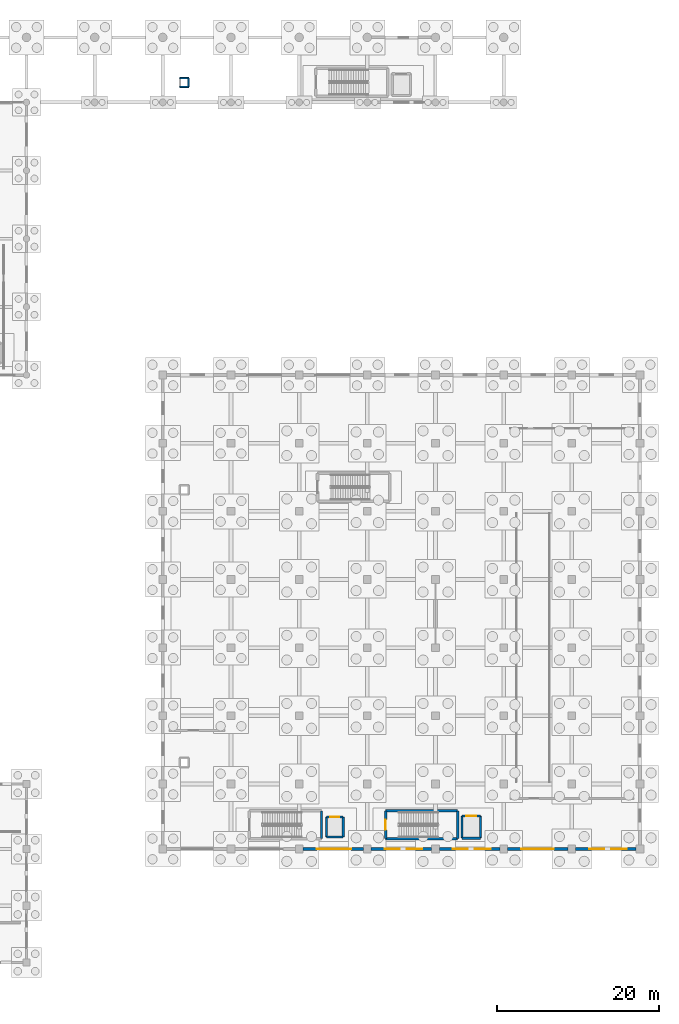
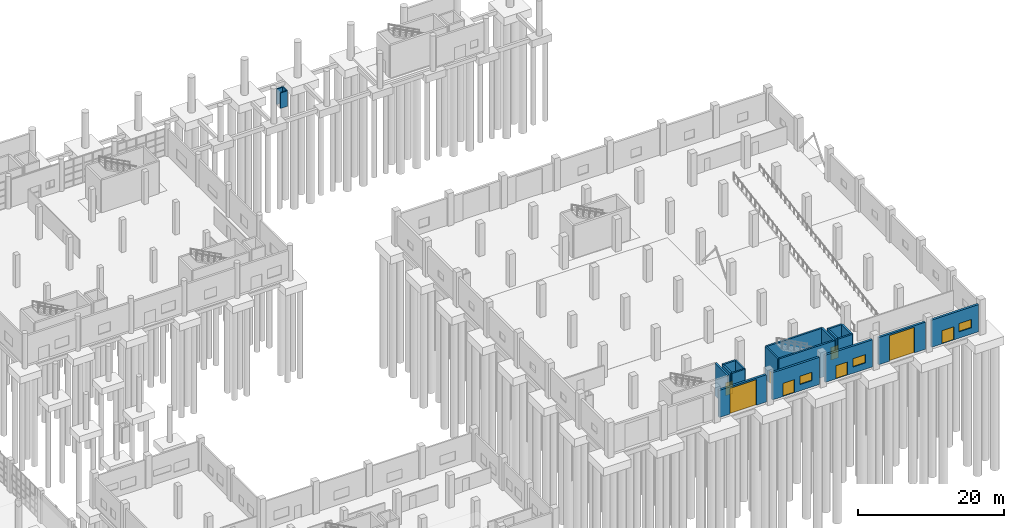
# One storey, part 58 of 83: 21 walls, 8 doors, 3 windows, 11 openings.
"""IFC4 building model written with IfcOpenShell, lengths in metres."""

from ifc_helpers import new_model, si_unit, direction, frame, frame_2d, origin, place, context, subcontext, project, spatial, rectangle, extrude, material, layer, layer_set, type_object, element, fill, save


model = new_model("IFC4")

# Units and contexts
model_context = context("Model", 3, precision=1e-05, world=origin(), true_north=direction((0.0, 1.0)))
body_context = subcontext(model_context, "Body", "Model", "MODEL_VIEW")
ifc_project = project(units=[si_unit("LENGTHUNIT", "METRE"), si_unit("AREAUNIT", "SQUARE_METRE"), si_unit("VOLUMEUNIT", "CUBIC_METRE"), si_unit("PLANEANGLEUNIT", "RADIAN"), si_unit("MASSUNIT", "GRAM", prefix="KILO"), si_unit("THERMODYNAMICTEMPERATUREUNIT", "KELVIN"), si_unit("POWERUNIT", "WATT")], contexts=[model_context])

# Site, building, storey
site_placement = place(None, origin())
site = spatial("IfcSite", under=ifc_project, at=site_placement, CompositionType="ELEMENT")
building_placement = place(site_placement, origin())
building = spatial("IfcBuilding", under=site, at=building_placement, Name="Mavoryth Pier Ferry Terminal", CompositionType="ELEMENT")
storey_placement = place(building_placement, origin())
storey = spatial("IfcBuildingStorey", under=building, at=storey_placement, Name="L00", CompositionType="ELEMENT", Elevation=0.0)

# Walls
ifc_material_1 = material(Name="Concrete C35/45", Category="concrete")
ifc_layer_1 = layer(ifc_material_1, 0.260009765625, Name="Concrete C35/45", Category="concrete")
ifc_layer_set_1 = layer_set([ifc_layer_1], Name="Concrete C35/45 - CoreWall-LiftShaft-RC260")
wall_type_1 = type_object("IfcWallType", Name="CoreWall-LiftShaft-RC260", PredefinedType="SHEAR", material=ifc_layer_set_1)
wall_1_placement = place(storey_placement, frame((129.3701171875, 15.469970703125, 0.0), z_axis=(0.0, 0.0, 1.0), x_axis=(1.0, 0.0, 0.0)))
element("IfcWall", 1, at=wall_1_placement, inside=storey, type_object=wall_type_1, Name="Interior Wall IW-L00-0145", PredefinedType="SHEAR", context=body_context, shape_type="SweptSolid", body=[
    extrude(rectangle(XDim=2.059814453125, YDim=0.260009765625, at=frame_2d((1.02978515625, 0.0))), origin(), (0.0, 0.0, 1.0), 5.43994140625),
])
for number, where, z_axis, x_axis, name in (
    (2, (131.429931640625, 15.469970703125, 0.0), (0.0, 0.0, 1.0), (0.0, 1.0, 0.0), "Interior Wall IW-L00-0146"),
    (3, (129.3701171875, 17.929931640625, 0.0), (0.0, 0.0, 1.0), (0.0, -1.0, 0.0), "Interior Wall IW-L00-0147"),
):
    element("IfcWall", number, at=place(storey_placement, frame(where, z_axis=z_axis, x_axis=x_axis)), inside=storey, type_object=wall_type_1, Name=name, PredefinedType="SHEAR", context=body_context, shape_type="SweptSolid", body=[
        extrude(rectangle(XDim=2.4599609375, YDim=0.260009765625, at=frame_2d((1.22998046875, 0.0))), origin(), (0.0, 0.0, 1.0), 5.43994140625),
    ])

# Wall, opening, door
wall_2_placement = place(storey_placement, frame((129.3701171875, 17.929931640625, 0.0), z_axis=(0.0, 0.0, 1.0), x_axis=(1.0, 0.0, 0.0)))
wall_2 = element("IfcWall", 4, at=wall_2_placement, inside=storey, type_object=wall_type_1, Name="Interior Wall IW-L00-0148", PredefinedType="SHEAR", context=body_context, shape_type="SweptSolid", body=[
    extrude(rectangle(XDim=2.059814453125, YDim=0.260009765625, at=frame_2d((1.02978515625, 0.0))), origin(), (0.0, 0.0, 1.0), 5.43994140625),
])
opening_1_placement = place(wall_2_placement, frame((0.4599609375, 0.0, 0.0)))
opening_1 = element("IfcOpeningElement", 5, at=opening_1_placement, cuts=wall_2, Name="Opening LD02", PredefinedType="OPENING", context=body_context, shape_type="SweptSolid", body=[
    extrude(rectangle(XDim=1.139892578125, YDim=2.139892578125, at=frame_2d((0.56982421875, 1.06982421875))), frame((0.0, 0.139892578125, 0.0), z_axis=(0.0, -1.0, 0.0), x_axis=(1.0, 0.0, 0.0)), (0.0, 0.0, 1.0), 0.280029296875),
])
ifc_material_2 = material(Name="Brushed Stainless Steel Lift Landing Door", Category="steel")
door_type_1 = type_object("IfcDoorType", Name="Door-LiftLanding-1140x2140", OperationType="NOTDEFINED", PredefinedType="DOOR", material=ifc_material_2)
door_1_placement = place(opening_1_placement, origin())
door_1 = element("IfcDoor", 6, at=door_1_placement, inside=storey, type_object=door_type_1, Name="Lift LF08 Landing Door L00", OperationType="DOUBLE_DOOR_SLIDING", OverallHeight=2.139892578125, OverallWidth=1.139892578125, PredefinedType="DOOR", context=body_context, shape_type="SweptSolid", body=[
    extrude(rectangle(XDim=1.139892578125, YDim=2.139892578125, at=frame_2d((0.56982421875, 1.06982421875))), frame((0.0, 0.02490234375, 0.0), z_axis=(0.0, -1.0, 0.0), x_axis=(1.0, 0.0, 0.0)), (0.0, 0.0, 1.0), 0.050048828125),
])
fill(opening_1, door_1)

# Walls
wall_3_placement = place(storey_placement, frame((146.070068359375, 15.320068359375, 0.0), z_axis=(0.0, 0.0, 1.0), x_axis=(1.0, 0.0, 0.0)))
element("IfcWall", 7, at=wall_3_placement, inside=storey, type_object=wall_type_1, Name="Interior Wall IW-L00-0173", PredefinedType="SHEAR", context=body_context, shape_type="SweptSolid", body=[
    extrude(rectangle(XDim=2.260009765625, YDim=0.260009765625, at=frame_2d((1.1298828125, 0.0))), origin(), (0.0, 0.0, 1.0), 5.43994140625),
])
for number, where, z_axis, x_axis, name in (
    (8, (148.330078125, 15.320068359375, 0.0), (0.0, 0.0, 1.0), (0.0, 1.0, 0.0), "Interior Wall IW-L00-0174"),
    (9, (146.070068359375, 18.080078125, 0.0), (0.0, 0.0, 1.0), (0.0, -1.0, 0.0), "Interior Wall IW-L00-0175"),
):
    element("IfcWall", number, at=place(storey_placement, frame(where, z_axis=z_axis, x_axis=x_axis)), inside=storey, type_object=wall_type_1, Name=name, PredefinedType="SHEAR", context=body_context, shape_type="SweptSolid", body=[
        extrude(rectangle(XDim=2.760009765625, YDim=0.260009765625, at=frame_2d((1.3798828125, 0.0))), origin(), (0.0, 0.0, 1.0), 5.43994140625),
    ])

# Wall, opening, door
wall_4_placement = place(storey_placement, frame((146.070068359375, 18.080078125, 0.0), z_axis=(0.0, 0.0, 1.0), x_axis=(1.0, 0.0, 0.0)))
wall_4 = element("IfcWall", 10, at=wall_4_placement, inside=storey, type_object=wall_type_1, Name="Interior Wall IW-L00-0176", PredefinedType="SHEAR", context=body_context, shape_type="SweptSolid", body=[
    extrude(rectangle(XDim=2.260009765625, YDim=0.260009765625, at=frame_2d((1.1298828125, 0.0))), origin(), (0.0, 0.0, 1.0), 5.43994140625),
])
opening_2_placement = place(wall_4_placement, frame((0.510009765625, 0.0, 0.0)))
opening_2 = element("IfcOpeningElement", 11, at=opening_2_placement, cuts=wall_4, Name="Opening LD01", PredefinedType="OPENING", context=body_context, shape_type="SweptSolid", body=[
    extrude(rectangle(XDim=1.239990234375, YDim=2.139892578125, at=frame_2d((0.6201171875, 1.06982421875))), frame((0.0, 0.139892578125, 0.0), z_axis=(0.0, -1.0, 0.0), x_axis=(1.0, 0.0, 0.0)), (0.0, 0.0, 1.0), 0.280029296875),
])
door_type_2 = type_object("IfcDoorType", Name="Door-LiftLanding-1240x2140", OperationType="NOTDEFINED", PredefinedType="DOOR", material=ifc_material_2)
door_2_placement = place(opening_2_placement, origin())
door_2 = element("IfcDoor", 12, at=door_2_placement, inside=storey, type_object=door_type_2, Name="Lift LF09 Landing Door L00", OperationType="DOUBLE_DOOR_SLIDING", OverallHeight=2.139892578125, OverallWidth=1.239990234375, PredefinedType="DOOR", context=body_context, shape_type="SweptSolid", body=[
    extrude(rectangle(XDim=1.239990234375, YDim=2.139892578125, at=frame_2d((0.6201171875, 1.06982421875))), frame((0.0, 0.02490234375, 0.0), z_axis=(0.0, -1.0, 0.0), x_axis=(1.0, 0.0, 0.0)), (0.0, 0.0, 1.0), 0.050048828125),
])
fill(opening_2, door_2)

# Walls
ifc_material_3 = material(Name="Concrete C40/50", Category="concrete")
ifc_layer_2 = layer(ifc_material_3, 0.280029296875, Name="Concrete C40/50", Category="concrete")
ifc_layer_set_2 = layer_set([ifc_layer_2], Name="Concrete C40/50 - CoreWall-Shear-RC280")
wall_type_2 = type_object("IfcWallType", Name="CoreWall-Shear-RC280", PredefinedType="SHEAR", material=ifc_layer_set_2)
wall_5_placement = place(storey_placement, frame((128.739990234375, 15.260009765625, 0.0), z_axis=(0.0, 0.0, 1.0), x_axis=(0.0, 1.0, 0.0)))
element("IfcWall", 13, at=wall_5_placement, inside=storey, type_object=wall_type_2, Name="Interior Wall IW-L00-0136", PredefinedType="SHEAR", context=body_context, shape_type="SweptSolid", body=[
    extrude(rectangle(XDim=3.429931640625, YDim=0.280029296875, at=frame_2d((1.71484375, 0.0))), origin(), (0.0, 0.0, 1.0), 5.43994140625),
])
for number, where, z_axis, x_axis, name in (
    (14, (136.659912109375, 15.260009765625, 0.0), (0.0, 0.0, 1.0), (1.0, 0.0, 0.0), "Interior Wall IW-L00-0157"),
    (15, (136.659912109375, 18.68994140625, 0.0), (0.0, 0.0, 1.0), (1.0, 0.0, 0.0), "Interior Wall IW-L00-0158"),
):
    element("IfcWall", number, at=place(storey_placement, frame(where, z_axis=z_axis, x_axis=x_axis)), inside=storey, type_object=wall_type_2, Name=name, PredefinedType="SHEAR", context=body_context, shape_type="SweptSolid", body=[
        extrude(rectangle(XDim=8.880126953125, YDim=0.280029296875, at=frame_2d((4.43994140625, 0.0))), origin(), (0.0, 0.0, 1.0), 5.43994140625),
    ])

# Wall, opening, door
wall_6_placement = place(storey_placement, frame((136.659912109375, 18.68994140625, 0.0), z_axis=(0.0, 0.0, 1.0), x_axis=(0.0, -1.0, 0.0)))
wall_6 = element("IfcWall", 16, at=wall_6_placement, inside=storey, type_object=wall_type_2, Name="Interior Wall IW-L00-0159", PredefinedType="SHEAR", context=body_context, shape_type="SweptSolid", body=[
    extrude(rectangle(XDim=3.429931640625, YDim=0.280029296875, at=frame_2d((1.71484375, 0.0))), origin(), (0.0, 0.0, 1.0), 5.43994140625),
])
opening_3_placement = place(wall_6_placement, frame((1.074951171875, 0.0, 0.0)))
opening_3 = element("IfcOpeningElement", 17, at=opening_3_placement, cuts=wall_6, Name="Opening ID03-040", PredefinedType="OPENING", context=body_context, shape_type="SweptSolid", body=[
    extrude(rectangle(XDim=1.280029296875, YDim=2.10009765625, at=frame_2d((0.64013671875, 1.050048828125))), frame((0.0, 0.14990234375, 0.0), z_axis=(0.0, -1.0, 0.0), x_axis=(1.0, 0.0, 0.0)), (0.0, 0.0, 1.0), 0.300048828125),
])
ifc_material_4 = material(Name="Painted Galvanised Steel Fire Door", Category="steel")
door_type_3 = type_object("IfcDoorType", Name="Door-StairFire-1280x2100", OperationType="NOTDEFINED", PredefinedType="DOOR", material=ifc_material_4)
door_3_placement = place(opening_3_placement, origin())
door_3 = element("IfcDoor", 18, at=door_3_placement, inside=storey, type_object=door_type_3, Name="Core C4B Stair Exit Door L00", OperationType="SINGLE_SWING_LEFT", OverallHeight=2.10009765625, OverallWidth=1.280029296875, PredefinedType="DOOR", context=body_context, shape_type="SweptSolid", body=[
    extrude(rectangle(XDim=1.280029296875, YDim=2.10009765625, at=frame_2d((0.64013671875, 1.050048828125))), frame((0.0, 0.02490234375, 0.0), z_axis=(0.0, -1.0, 0.0), x_axis=(1.0, 0.0, 0.0)), (0.0, 0.0, 1.0), 0.050048828125),
])
fill(opening_3, door_3)

# Wall
wall_7_placement = place(storey_placement, frame((145.5400390625, 15.260009765625, 0.0), z_axis=(0.0, 0.0, 1.0), x_axis=(0.0, 1.0, 0.0)))
element("IfcWall", 19, at=wall_7_placement, inside=storey, type_object=wall_type_2, Name="Interior Wall IW-L00-0160", PredefinedType="SHEAR", context=body_context, shape_type="SweptSolid", body=[
    extrude(rectangle(XDim=3.429931640625, YDim=0.280029296875, at=frame_2d((1.71484375, 0.0))), origin(), (0.0, 0.0, 1.0), 5.43994140625),
])

# Wall, opening, door
ifc_layer_3 = layer(ifc_material_1, 0.340087890625, Name="Concrete C35/45", Category="concrete")
ifc_layer_set_3 = layer_set([ifc_layer_3], Name="Concrete C35/45 - ExtWall-Plinth-RC340")
wall_type_3 = type_object("IfcWallType", Name="ExtWall-Plinth-RC340", PredefinedType="SOLIDWALL", material=ifc_layer_set_3)
wall_8_placement = place(storey_placement, frame((126.47509765625, 14.0, 0.0), z_axis=(0.0, 0.0, 1.0), x_axis=(1.0, 0.0, 0.0)))
wall_8 = element("IfcWall", 20, at=wall_8_placement, inside=storey, type_object=wall_type_3, Name="Exterior Wall EW-L00-040", PredefinedType="SOLIDWALL", context=body_context, shape_type="SweptSolid", body=[
    extrude(rectangle(XDim=7.449951171875, YDim=0.340087890625, at=frame_2d((3.72509765625, 0.0))), origin(), (0.0, 0.0, 1.0), 4.544921875),
])
opening_4_placement = place(wall_8_placement, frame((1.715087890625, 0.0, 0.0)))
opening_4 = element("IfcOpeningElement", 21, at=opening_4_placement, cuts=wall_8, Name="Opening VG-21", PredefinedType="OPENING", context=body_context, shape_type="SweptSolid", body=[
    extrude(rectangle(XDim=4.199951171875, YDim=4.300048828125, at=frame_2d((2.10009765625, 2.14990234375))), frame((0.0, 0.179931640625, 0.0), z_axis=(0.0, -1.0, 0.0), x_axis=(1.0, 0.0, 0.0)), (0.0, 0.0, 1.0), 0.360107421875),
])
ifc_material_5 = material(Name="Thermally Broken Anodised Aluminium and Laminated Glass", Category="aluminium")
door_type_4 = type_object("IfcDoorType", Name="Gate-VehicleShutter-4200x4300", OperationType="NOTDEFINED", PredefinedType="GATE", material=ifc_material_5)
door_4_placement = place(opening_4_placement, origin())
door_4 = element("IfcDoor", 22, at=door_4_placement, inside=storey, type_object=door_type_4, Name="Vehicle Security Shutter VG-21", OperationType="ROLLINGUP", OverallHeight=4.300048828125, OverallWidth=4.199951171875, PredefinedType="GATE", context=body_context, shape_type="SweptSolid", body=[
    extrude(rectangle(XDim=4.199951171875, YDim=4.300048828125, at=frame_2d((2.10009765625, 2.14990234375))), frame((0.0, 0.02490234375, 0.0), z_axis=(0.0, -1.0, 0.0), x_axis=(1.0, 0.0, 0.0)), (0.0, 0.0, 1.0), 0.050048828125),
])
fill(opening_4, door_4)

# Wall, openings, door, window
wall_9_placement = place(storey_placement, frame((134.875, 14.0, 0.0), z_axis=(0.0, 0.0, 1.0), x_axis=(1.0, 0.0, 0.0)))
wall_9 = element("IfcWall", 23, at=wall_9_placement, inside=storey, type_object=wall_type_3, Name="Exterior Wall EW-L00-042", PredefinedType="SOLIDWALL", context=body_context, shape_type="SweptSolid", body=[
    extrude(rectangle(XDim=7.449951171875, YDim=0.340087890625, at=frame_2d((3.72509765625, 0.0))), origin(), (0.0, 0.0, 1.0), 4.544921875),
])
opening_5_placement = place(wall_9_placement, frame((1.6650390625, 0.0, 0.0)))
opening_5 = element("IfcOpeningElement", 24, at=opening_5_placement, cuts=wall_9, Name="Opening ED04-023", PredefinedType="OPENING", context=body_context, shape_type="SweptSolid", body=[
    extrude(rectangle(XDim=1.85009765625, YDim=2.199951171875, at=frame_2d((0.925048828125, 1.10009765625))), frame((0.0, 0.179931640625, 0.0), z_axis=(0.0, -1.0, 0.0), x_axis=(1.0, 0.0, 0.0)), (0.0, 0.0, 1.0), 0.360107421875),
])
opening_6_placement = place(wall_9_placement, frame((4.364990234375, 0.0, 1.050048828125)))
opening_6 = element("IfcOpeningElement", 25, at=opening_6_placement, cuts=wall_9, Name="Opening WN17", PredefinedType="OPENING", context=body_context, shape_type="SweptSolid", body=[
    extrude(rectangle(XDim=1.949951171875, YDim=1.39990234375, at=frame_2d((0.97509765625, 0.699951171875))), frame((0.0, 0.179931640625, 0.0), z_axis=(0.0, -1.0, 0.0), x_axis=(1.0, 0.0, 0.0)), (0.0, 0.0, 1.0), 0.360107421875),
])
door_type_5 = type_object("IfcDoorType", Name="ExtDoor-ExitDouble-1850x2200", OperationType="NOTDEFINED", PredefinedType="DOOR", material=ifc_material_5)
door_5_placement = place(opening_5_placement, origin())
door_5 = element("IfcDoor", 26, at=door_5_placement, inside=storey, type_object=door_type_5, Name="Exterior Pedestrian Exit Door ED04-023", OperationType="DOUBLE_DOOR_SINGLE_SWING", OverallHeight=2.199951171875, OverallWidth=1.85009765625, PredefinedType="DOOR", context=body_context, shape_type="SweptSolid", body=[
    extrude(rectangle(XDim=1.85009765625, YDim=2.199951171875, at=frame_2d((0.925048828125, 1.10009765625))), frame((0.0, 0.02490234375, 0.0), z_axis=(0.0, -1.0, 0.0), x_axis=(1.0, 0.0, 0.0)), (0.0, 0.0, 1.0), 0.050048828125),
])
fill(opening_5, door_5)
ifc_material_6 = material(Name="Thermally Broken Aluminium and Low-E Double Glazing", Category="aluminium")
window_type = type_object("IfcWindowType", Name="Win-Drivers-1950x1400", PartitioningType="DOUBLE_PANEL_VERTICAL", PredefinedType="WINDOW", material=ifc_material_6)
window_1_placement = place(opening_6_placement, origin())
window_1 = element("IfcWindow", 27, at=window_1_placement, inside=storey, type_object=window_type, Name="Exterior Window 27", OverallHeight=1.39990234375, OverallWidth=1.949951171875, PartitioningType="DOUBLE_PANEL_VERTICAL", PredefinedType="WINDOW", context=body_context, shape_type="SweptSolid", body=[
    extrude(rectangle(XDim=1.949951171875, YDim=1.39990234375, at=frame_2d((0.97509765625, 0.699951171875))), frame((0.0, 0.030029296875, 0.0), z_axis=(0.0, -1.0, 0.0), x_axis=(1.0, 0.0, 0.0)), (0.0, 0.0, 1.0), 0.06005859375),
])
fill(opening_6, window_1)

wall_10_placement = place(storey_placement, frame((143.27490234375, 14.0, 0.0), z_axis=(0.0, 0.0, 1.0), x_axis=(1.0, 0.0, 0.0)))
wall_10 = element("IfcWall", 28, at=wall_10_placement, inside=storey, type_object=wall_type_3, Name="Exterior Wall EW-L00-044", PredefinedType="SOLIDWALL", context=body_context, shape_type="SweptSolid", body=[
    extrude(rectangle(XDim=7.4501953125, YDim=0.340087890625, at=frame_2d((3.72509765625, 0.0))), origin(), (0.0, 0.0, 1.0), 4.544921875),
])
opening_7_placement = place(wall_10_placement, frame((1.6650390625, 0.0, 0.0)))
opening_7 = element("IfcOpeningElement", 29, at=opening_7_placement, cuts=wall_10, Name="Opening ED04-024", PredefinedType="OPENING", context=body_context, shape_type="SweptSolid", body=[
    extrude(rectangle(XDim=1.85009765625, YDim=2.199951171875, at=frame_2d((0.925048828125, 1.10009765625))), frame((0.0, 0.179931640625, 0.0), z_axis=(0.0, -1.0, 0.0), x_axis=(1.0, 0.0, 0.0)), (0.0, 0.0, 1.0), 0.360107421875),
])
opening_8_placement = place(wall_10_placement, frame((4.364990234375, 0.0, 1.050048828125)))
opening_8 = element("IfcOpeningElement", 30, at=opening_8_placement, cuts=wall_10, Name="Opening WN17", PredefinedType="OPENING", context=body_context, shape_type="SweptSolid", body=[
    extrude(rectangle(XDim=1.949951171875, YDim=1.39990234375, at=frame_2d((0.97509765625, 0.699951171875))), frame((0.0, 0.179931640625, 0.0), z_axis=(0.0, -1.0, 0.0), x_axis=(1.0, 0.0, 0.0)), (0.0, 0.0, 1.0), 0.360107421875),
])
door_6_placement = place(opening_7_placement, origin())
door_6 = element("IfcDoor", 31, at=door_6_placement, inside=storey, type_object=door_type_5, Name="Exterior Pedestrian Exit Door ED04-024", OperationType="DOUBLE_DOOR_SINGLE_SWING", OverallHeight=2.199951171875, OverallWidth=1.85009765625, PredefinedType="DOOR", context=body_context, shape_type="SweptSolid", body=[
    extrude(rectangle(XDim=1.85009765625, YDim=2.199951171875, at=frame_2d((0.925048828125, 1.10009765625))), frame((0.0, 0.02490234375, 0.0), z_axis=(0.0, -1.0, 0.0), x_axis=(1.0, 0.0, 0.0)), (0.0, 0.0, 1.0), 0.050048828125),
])
fill(opening_7, door_6)
window_2_placement = place(opening_8_placement, origin())
window_2 = element("IfcWindow", 32, at=window_2_placement, inside=storey, type_object=window_type, Name="Exterior Window 29", OverallHeight=1.39990234375, OverallWidth=1.949951171875, PartitioningType="DOUBLE_PANEL_VERTICAL", PredefinedType="WINDOW", context=body_context, shape_type="SweptSolid", body=[
    extrude(rectangle(XDim=1.949951171875, YDim=1.39990234375, at=frame_2d((0.97509765625, 0.699951171875))), frame((0.0, 0.030029296875, 0.0), z_axis=(0.0, -1.0, 0.0), x_axis=(1.0, 0.0, 0.0)), (0.0, 0.0, 1.0), 0.06005859375),
])
fill(opening_8, window_2)

# Wall, opening, door
wall_11_placement = place(storey_placement, frame((151.675048828125, 14.0, 0.0), z_axis=(0.0, 0.0, 1.0), x_axis=(1.0, 0.0, 0.0)))
wall_11 = element("IfcWall", 33, at=wall_11_placement, inside=storey, type_object=wall_type_3, Name="Exterior Wall EW-L00-046", PredefinedType="SOLIDWALL", context=body_context, shape_type="SweptSolid", body=[
    extrude(rectangle(XDim=7.449951171875, YDim=0.340087890625, at=frame_2d((3.72509765625, 0.0))), origin(), (0.0, 0.0, 1.0), 4.544921875),
])
opening_9_placement = place(wall_11_placement, frame((1.715087890625, 0.0, 0.0)))
opening_9 = element("IfcOpeningElement", 34, at=opening_9_placement, cuts=wall_11, Name="Opening VG-25", PredefinedType="OPENING", context=body_context, shape_type="SweptSolid", body=[
    extrude(rectangle(XDim=4.0, YDim=4.300048828125, at=frame_2d((2.0, 2.14990234375))), frame((0.0, 0.179931640625, 0.0), z_axis=(0.0, -1.0, 0.0), x_axis=(1.0, 0.0, 0.0)), (0.0, 0.0, 1.0), 0.360107421875),
])
door_type_6 = type_object("IfcDoorType", Name="Gate-VehicleShutter-4000x4300", OperationType="NOTDEFINED", PredefinedType="GATE", material=ifc_material_5)
door_7_placement = place(opening_9_placement, origin())
door_7 = element("IfcDoor", 35, at=door_7_placement, inside=storey, type_object=door_type_6, Name="Vehicle Security Shutter VG-25", OperationType="ROLLINGUP", OverallHeight=4.300048828125, OverallWidth=4.0, PredefinedType="GATE", context=body_context, shape_type="SweptSolid", body=[
    extrude(rectangle(XDim=4.0, YDim=4.300048828125, at=frame_2d((2.0, 2.14990234375))), frame((0.0, 0.02490234375, 0.0), z_axis=(0.0, -1.0, 0.0), x_axis=(1.0, 0.0, 0.0)), (0.0, 0.0, 1.0), 0.050048828125),
])
fill(opening_9, door_7)

# Wall, openings, door, window
wall_12_placement = place(storey_placement, frame((160.074951171875, 14.0, 0.0), z_axis=(0.0, 0.0, 1.0), x_axis=(1.0, 0.0, 0.0)))
wall_12 = element("IfcWall", 36, at=wall_12_placement, inside=storey, type_object=wall_type_3, Name="Exterior Wall EW-L00-048", PredefinedType="SOLIDWALL", context=body_context, shape_type="SweptSolid", body=[
    extrude(rectangle(XDim=7.449951171875, YDim=0.340087890625, at=frame_2d((3.72509765625, 0.0))), origin(), (0.0, 0.0, 1.0), 4.544921875),
])
opening_10_placement = place(wall_12_placement, frame((1.6650390625, 0.0, 0.0)))
opening_10 = element("IfcOpeningElement", 37, at=opening_10_placement, cuts=wall_12, Name="Opening ED04-026", PredefinedType="OPENING", context=body_context, shape_type="SweptSolid", body=[
    extrude(rectangle(XDim=1.85009765625, YDim=2.199951171875, at=frame_2d((0.925048828125, 1.10009765625))), frame((0.0, 0.179931640625, 0.0), z_axis=(0.0, -1.0, 0.0), x_axis=(1.0, 0.0, 0.0)), (0.0, 0.0, 1.0), 0.360107421875),
])
opening_11_placement = place(wall_12_placement, frame((4.364990234375, 0.0, 1.050048828125)))
opening_11 = element("IfcOpeningElement", 38, at=opening_11_placement, cuts=wall_12, Name="Opening WN17", PredefinedType="OPENING", context=body_context, shape_type="SweptSolid", body=[
    extrude(rectangle(XDim=1.949951171875, YDim=1.39990234375, at=frame_2d((0.97509765625, 0.699951171875))), frame((0.0, 0.179931640625, 0.0), z_axis=(0.0, -1.0, 0.0), x_axis=(1.0, 0.0, 0.0)), (0.0, 0.0, 1.0), 0.360107421875),
])
door_8_placement = place(opening_10_placement, origin())
door_8 = element("IfcDoor", 39, at=door_8_placement, inside=storey, type_object=door_type_5, Name="Exterior Pedestrian Exit Door ED04-026", OperationType="DOUBLE_DOOR_SINGLE_SWING", OverallHeight=2.199951171875, OverallWidth=1.85009765625, PredefinedType="DOOR", context=body_context, shape_type="SweptSolid", body=[
    extrude(rectangle(XDim=1.85009765625, YDim=2.199951171875, at=frame_2d((0.925048828125, 1.10009765625))), frame((0.0, 0.02490234375, 0.0), z_axis=(0.0, -1.0, 0.0), x_axis=(1.0, 0.0, 0.0)), (0.0, 0.0, 1.0), 0.050048828125),
])
fill(opening_10, door_8)
window_3_placement = place(opening_11_placement, origin())
window_3 = element("IfcWindow", 40, at=window_3_placement, inside=storey, type_object=window_type, Name="Exterior Window 32", OverallHeight=1.39990234375, OverallWidth=1.949951171875, PartitioningType="DOUBLE_PANEL_VERTICAL", PredefinedType="WINDOW", context=body_context, shape_type="SweptSolid", body=[
    extrude(rectangle(XDim=1.949951171875, YDim=1.39990234375, at=frame_2d((0.97509765625, 0.699951171875))), frame((0.0, 0.030029296875, 0.0), z_axis=(0.0, -1.0, 0.0), x_axis=(1.0, 0.0, 0.0)), (0.0, 0.0, 1.0), 0.06005859375),
])
fill(opening_11, window_3)

# Walls
ifc_material_7 = material(Name="Autoclaved Aerated Concrete Blockwork", Category="masonry")
ifc_layer_4 = layer(ifc_material_7, 0.179931640625, Name="Autoclaved Aerated Concrete Blockwork", Category="masonry")
ifc_layer_set_4 = layer_set([ifc_layer_4], Name="Autoclaved Aerated Concrete Blockwork - IntWall-PlantRated-180")
wall_type_4 = type_object("IfcWallType", Name="IntWall-PlantRated-180", PredefinedType="SOLIDWALL", material=ifc_layer_set_4)
wall_13_placement = place(storey_placement, frame((111.31005859375, 107.909912109375, 0.0), z_axis=(0.0, 0.0, 1.0), x_axis=(1.0, 0.0, 0.0)))
element("IfcWall", 41, at=wall_13_placement, inside=storey, type_object=wall_type_4, Name="Interior Wall IW-L00-0369", PredefinedType="SOLIDWALL", context=body_context, shape_type="SweptSolid", body=[
    extrude(rectangle(XDim=1.079833984375, YDim=0.179931640625, at=frame_2d((0.5400390625, 0.0))), origin(), (0.0, 0.0, 1.0), 2.60009765625),
])
wall_14_placement = place(storey_placement, frame((112.389892578125, 107.909912109375, 0.0), z_axis=(0.0, 0.0, 1.0), x_axis=(0.0, 1.0, 0.0)))
element("IfcWall", 42, at=wall_14_placement, inside=storey, type_object=wall_type_4, Name="Interior Wall IW-L00-0370", PredefinedType="SOLIDWALL", context=body_context, shape_type="SweptSolid", body=[
    extrude(rectangle(XDim=1.080078125, YDim=0.179931640625, at=frame_2d((0.5400390625, 0.0))), origin(), (0.0, 0.0, 1.0), 2.60009765625),
])
wall_15_placement = place(storey_placement, frame((112.389892578125, 108.989990234375, 0.0), z_axis=(0.0, 0.0, 1.0), x_axis=(-1.0, 0.0, 0.0)))
element("IfcWall", 43, at=wall_15_placement, inside=storey, type_object=wall_type_4, Name="Interior Wall IW-L00-0371", PredefinedType="SOLIDWALL", context=body_context, shape_type="SweptSolid", body=[
    extrude(rectangle(XDim=1.079833984375, YDim=0.179931640625, at=frame_2d((0.5400390625, 0.0))), origin(), (0.0, 0.0, 1.0), 2.60009765625),
])

save(model, "model.ifc")
